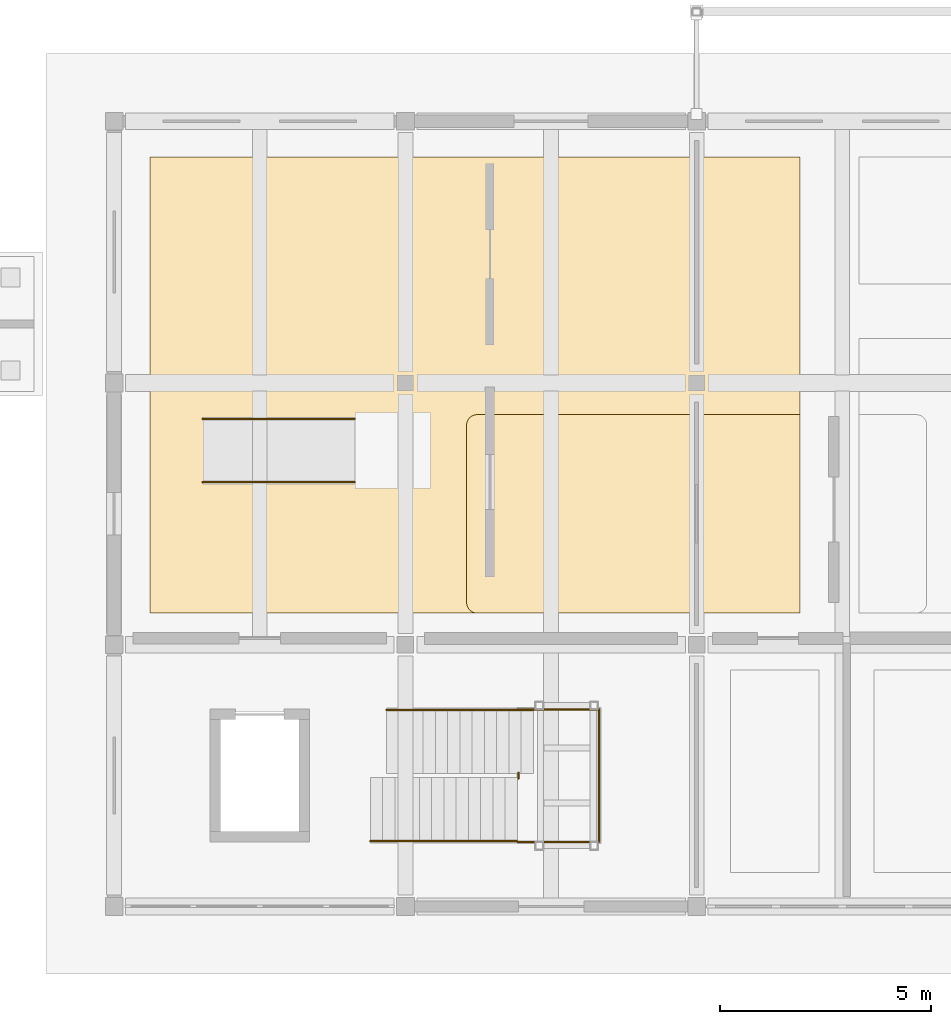
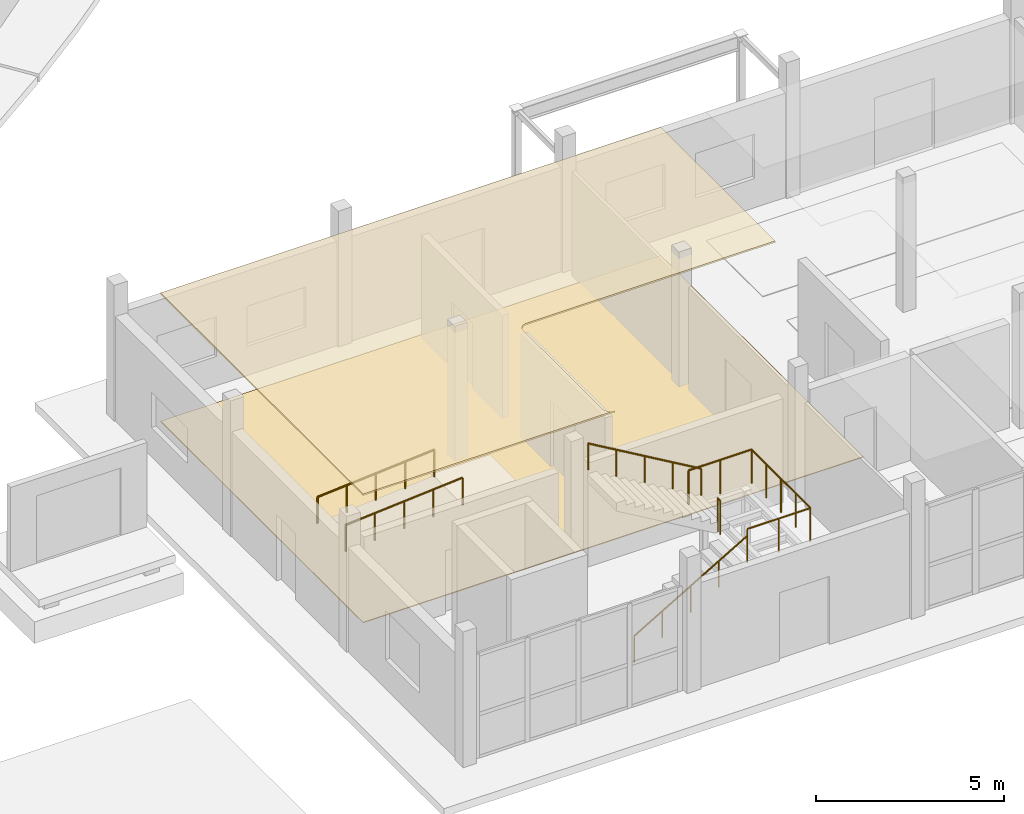
# One storey, part 83 of 92: 6 railings, 2 coverings.
"""IFC4 building model written with IfcOpenShell, lengths in metres."""

from ifc_helpers import new_model, si_unit, direction, frame, origin, origin_2d, place, context, subcontext, project, spatial, polyline, circle, outline, extrude, material, layer, layer_set, type_object, element, save


model = new_model("IFC4")

# Units and contexts
model_context = context("Model", 3, precision=1e-05, world=origin(), true_north=direction((0.0, 1.0)))
body_context = subcontext(model_context, "Body", "Model", "MODEL_VIEW")
ifc_project = project(units=[si_unit("LENGTHUNIT", "METRE"), si_unit("AREAUNIT", "SQUARE_METRE"), si_unit("VOLUMEUNIT", "CUBIC_METRE"), si_unit("PLANEANGLEUNIT", "RADIAN"), si_unit("MASSUNIT", "GRAM", prefix="KILO")], contexts=[model_context])

# Site, building, storey
site_placement = place(None, origin())
site = spatial("IfcSite", under=ifc_project, at=site_placement, CompositionType="ELEMENT")
building_placement = place(site_placement, origin())
building = spatial("IfcBuilding", under=site, at=building_placement, Name="Caldaven Crescent School", CompositionType="ELEMENT")
storey_placement = place(building_placement, origin())
storey = spatial("IfcBuildingStorey", under=building, at=storey_placement, Name="L00", CompositionType="ELEMENT", Elevation=0.0)

# Coverings
ifc_material_1 = material(Name="Perforated Pino Radiata acoustic timber baffle ceiling", Category="wood")
ifc_layer_1 = layer(ifc_material_1, 0.053955078125)
ifc_layer_set_1 = layer_set([ifc_layer_1], Name="Perforated Pino Radiata acoustic timber baffle ceiling")
covering_type_1 = type_object("IfcCoveringType", Name="COV-CLG4", PredefinedType="CEILING", material=ifc_layer_set_1)
covering_1_placement = place(storey_placement, frame((0.0, 0.0, 4.14599609375)))
element("IfcCovering", 1, at=covering_1_placement, inside=storey, type_object=covering_type_1, Name="CLG-L00-031", PredefinedType="CEILING", context=body_context, shape_type="SweptSolid", body=[
    extrude(outline(polyline([(139.14990234375, 21.949951171875), (139.14990234375, 15.85009765625), (131.5, 15.85009765625), (131.4755859375, 15.848876953125), (131.451171875, 15.84521484375), (131.427490234375, 15.839111328125), (131.404296875, 15.8310546875), (131.382080078125, 15.820556640625), (131.361083984375, 15.807861328125), (131.34130859375, 15.793212890625), (131.3232421875, 15.77685546875), (131.306640625, 15.758544921875), (131.2919921875, 15.739013671875), (131.279541015625, 15.7177734375), (131.26904296875, 15.69580078125), (131.2607421875, 15.672607421875), (131.2548828125, 15.648681640625), (131.251220703125, 15.62451171875), (131.25, 15.60009765625), (131.25, 11.39990234375), (131.251220703125, 11.37548828125), (131.2548828125, 11.351318359375), (131.2607421875, 11.327392578125), (131.26904296875, 11.30419921875), (131.279541015625, 11.2822265625), (131.2919921875, 11.260986328125), (131.306640625, 11.241455078125), (131.3232421875, 11.22314453125), (131.34130859375, 11.206787109375), (131.361083984375, 11.192138671875), (131.382080078125, 11.179443359375), (131.404296875, 11.1689453125), (131.427490234375, 11.160888671875), (131.451171875, 11.15478515625), (131.4755859375, 11.151123046875), (131.5, 11.14990234375), (139.14990234375, 11.14990234375), (139.14990234375, 11.14990234375), (123.75, 11.14990234375), (123.75, 21.949951171875), (139.14990234375, 21.949951171875)])), origin(), (0.0, 0.0, 1.0), 0.053955078125),
])
ifc_material_2 = material(Name="Polished terrazzo and acoustic linoleum flooring")
ifc_layer_2 = layer(ifc_material_2, 0.02587890625)
ifc_layer_set_2 = layer_set([ifc_layer_2], Name="Polished terrazzo and acoustic linoleum flooring")
covering_type_2 = type_object("IfcCoveringType", Name="COV-FLR2", PredefinedType="FLOORING", material=ifc_layer_set_2)
covering_2_placement = place(storey_placement, origin())
element("IfcCovering", 2, at=covering_2_placement, inside=storey, type_object=covering_type_2, Name="FLR-L00-031", PredefinedType="FLOORING", context=body_context, shape_type="SweptSolid", body=[
    extrude(outline(polyline([(123.75, 21.949951171875), (139.14990234375, 21.949951171875), (139.14990234375, 11.14990234375), (123.75, 11.14990234375), (123.75, 21.949951171875)])), origin(), (0.0, 0.0, 1.0), 0.02587890625),
])

# Railings
ifc_material_3 = material(Name="Brushed stainless-steel continuous tubular handrail", Category="steel")
railing_type_1 = type_object("IfcRailingType", Name="RAL-HR1", PredefinedType="HANDRAIL", material=ifc_material_3)
railing_1_placement = place(storey_placement, frame((128.969970703125, 5.7451171875, 0.173095703125)))
element("IfcRailing", 3, at=railing_1_placement, inside=storey, type_object=railing_type_1, Name="HR-STV3-L00-F1", PredefinedType="HANDRAIL", context=body_context, shape_type="SweptSolid", body=[
    extrude(circle(Radius=0.02392578125, at=origin_2d()), frame((0.0, 0.0, 0.85595703125), z_axis=(0.862718911971, 0.0, 0.505683773644), x_axis=(0.0, 1.0, 0.0)), (0.0, 0.0, 1.0), 4.03369140625),
    extrude(circle(Radius=0.02099609375, at=origin_2d()), origin(), (0.0, 0.0, 1.0), 0.831787109375),
    extrude(circle(Radius=0.02099609375, at=origin_2d()), frame((0.8701171875, 0.0, 0.510009765625)), (0.0, 0.0, 1.0), 0.831787109375),
    extrude(circle(Radius=0.02099609375, at=origin_2d()), frame((1.739990234375, 0.0, 1.02001953125)), (0.0, 0.0, 1.0), 0.831787109375),
    extrude(circle(Radius=0.02099609375, at=origin_2d()), frame((2.60986328125, 0.0, 1.52978515625)), (0.0, 0.0, 1.0), 0.831787109375),
    extrude(circle(Radius=0.02099609375, at=origin_2d()), frame((3.47998046875, 0.0, 2.039794921875)), (0.0, 0.0, 1.0), 0.831787109375),
])
railing_2_placement = place(storey_placement, frame((132.830078125, 8.85498046875, 2.383056640625)))
element("IfcRailing", 4, at=railing_2_placement, inside=storey, type_object=railing_type_1, Name="HR-STV3-L00-F2", PredefinedType="HANDRAIL", context=body_context, shape_type="SweptSolid", body=[
    extrude(circle(Radius=0.02392578125, at=origin_2d()), frame((0.0, 0.0, 0.85595703125), z_axis=(-0.862692506924, 0.0, 0.505728819128), x_axis=(0.0, -1.0, 0.0)), (0.0, 0.0, 1.0), 4.033935546875),
    extrude(circle(Radius=0.02099609375, at=origin_2d()), origin(), (0.0, 0.0, 1.0), 0.831787109375),
    extrude(circle(Radius=0.02099609375, at=origin_2d()), frame((-0.8701171875, 0.0, 0.510009765625)), (0.0, 0.0, 1.0), 0.831787109375),
    extrude(circle(Radius=0.02099609375, at=origin_2d()), frame((-1.739990234375, 0.0, 1.02001953125)), (0.0, 0.0, 1.0), 0.831787109375),
    extrude(circle(Radius=0.02099609375, at=origin_2d()), frame((-2.60986328125, 0.0, 1.530029296875)), (0.0, 0.0, 1.0), 0.831787109375),
    extrude(circle(Radius=0.02099609375, at=origin_2d()), frame((-3.47998046875, 0.0, 2.0400390625)), (0.0, 0.0, 1.0), 0.831787109375),
])
railing_type_2 = type_object("IfcRailingType", Name="RAL-HR4", PredefinedType="HANDRAIL", material=ifc_material_3)
for number, where, name in (
    (5, (125.0, 14.25, 0.0), "HR-RMP4-L"),
    (6, (125.0, 15.75, 0.0), "HR-RMP4-R"),
):
    element("IfcRailing", number, at=place(storey_placement, frame(where)), inside=storey, type_object=railing_type_2, Name=name, PredefinedType="HANDRAIL", context=body_context, shape_type="SweptSolid", body=[
        extrude(circle(Radius=0.02392578125, at=origin_2d()), frame((0.0, 0.0, 0.8759765625), z_axis=(0.996988498323, 0.0, 0.077549559716), x_axis=(0.0, 1.0, 0.0)), (0.0, 0.0, 1.0), 3.611083984375),
        extrude(circle(Radius=0.02099609375, at=origin_2d()), origin(), (0.0, 0.0, 1.0), 0.851806640625),
        extrude(circle(Radius=0.02099609375, at=origin_2d()), frame((0.89990234375, 0.0, 0.070068359375)), (0.0, 0.0, 1.0), 0.851806640625),
        extrude(circle(Radius=0.02099609375, at=origin_2d()), frame((1.800048828125, 0.0, 0.14013671875)), (0.0, 0.0, 1.0), 0.851806640625),
        extrude(circle(Radius=0.02099609375, at=origin_2d()), frame((2.7001953125, 0.0, 0.2099609375)), (0.0, 0.0, 1.0), 0.851806640625),
        extrude(circle(Radius=0.02099609375, at=origin_2d()), frame((3.60009765625, 0.0, 0.280029296875)), (0.0, 0.0, 1.0), 0.851806640625),
    ])
ifc_material_4 = material(Name="Powder-coated tubular steel balustrade ASTM A572 Grade 50", Category="steel")
railing_type_3 = type_object("IfcRailingType", Name="RAL-INT2", PredefinedType="BALUSTRADE", material=ifc_material_4)
railing_3_placement = place(storey_placement, frame((132.449951171875, 5.72998046875, 2.2099609375)))
element("IfcRailing", 7, at=railing_3_placement, inside=storey, type_object=railing_type_3, Name="GD-LND-STV3-L00", PredefinedType="BALUSTRADE", context=body_context, shape_type="SweptSolid", body=[
    extrude(circle(Radius=0.02392578125, at=origin_2d()), frame((0.0, 0.0, 1.09619140625), z_axis=(1.0, 0.0, 0.0), x_axis=(0.0, 1.0, 0.0)), (0.0, 0.0, 1.0), 1.93994140625),
    extrude(circle(Radius=0.02392578125, at=origin_2d()), frame((1.93994140625, 0.0, 1.09619140625), z_axis=(0.0, 1.0, 0.0), x_axis=(-1.0, 0.0, 0.0)), (0.0, 0.0, 1.0), 3.14013671875),
    extrude(circle(Radius=0.02392578125, at=origin_2d()), frame((1.93994140625, 3.14013671875, 1.09619140625), z_axis=(-1.0, 0.0, 0.0), x_axis=(0.0, -1.0, 0.0)), (0.0, 0.0, 1.0), 1.93994140625),
    extrude(circle(Radius=0.02099609375, at=origin_2d()), origin(), (0.0, 0.0, 1.0), 1.072021484375),
    extrude(circle(Radius=0.02099609375, at=origin_2d()), frame((0.969970703125, 0.0, 0.0)), (0.0, 0.0, 1.0), 1.072021484375),
    extrude(circle(Radius=0.02099609375, at=origin_2d()), frame((1.93994140625, 0.0, 0.0)), (0.0, 0.0, 1.0), 1.072021484375),
    extrude(circle(Radius=0.02099609375, at=origin_2d()), frame((1.93994140625, 0.78515625, 0.0)), (0.0, 0.0, 1.0), 1.072021484375),
    extrude(circle(Radius=0.02099609375, at=origin_2d()), frame((1.93994140625, 1.570068359375, 0.0)), (0.0, 0.0, 1.0), 1.072021484375),
    extrude(circle(Radius=0.02099609375, at=origin_2d()), frame((1.93994140625, 2.35498046875, 0.0)), (0.0, 0.0, 1.0), 1.072021484375),
    extrude(circle(Radius=0.02099609375, at=origin_2d()), frame((1.93994140625, 3.14013671875, 0.0)), (0.0, 0.0, 1.0), 1.072021484375),
    extrude(circle(Radius=0.02099609375, at=origin_2d()), frame((0.969970703125, 3.14013671875, 0.0)), (0.0, 0.0, 1.0), 1.072021484375),
    extrude(circle(Radius=0.02099609375, at=origin_2d()), frame((0.0, 3.14013671875, 0.0)), (0.0, 0.0, 1.0), 1.072021484375),
])
railing_4_placement = place(storey_placement, frame((132.47998046875, 7.22998046875, 2.2099609375)))
element("IfcRailing", 8, at=railing_4_placement, inside=storey, type_object=railing_type_3, Name="GD-SLT-STV3-L00", PredefinedType="BALUSTRADE", context=body_context, shape_type="SweptSolid", body=[
    extrude(circle(Radius=0.02392578125, at=origin_2d()), frame((0.0, 0.0, 1.09619140625), z_axis=(0.0, 1.0, 0.0), x_axis=(-1.0, 0.0, 0.0)), (0.0, 0.0, 1.0), 0.14013671875),
    extrude(circle(Radius=0.02099609375, at=origin_2d()), origin(), (0.0, 0.0, 1.0), 1.072021484375),
    extrude(circle(Radius=0.02099609375, at=origin_2d()), frame((0.0, 0.14013671875, 0.0)), (0.0, 0.0, 1.0), 1.072021484375),
])

save(model, "model.ifc")
